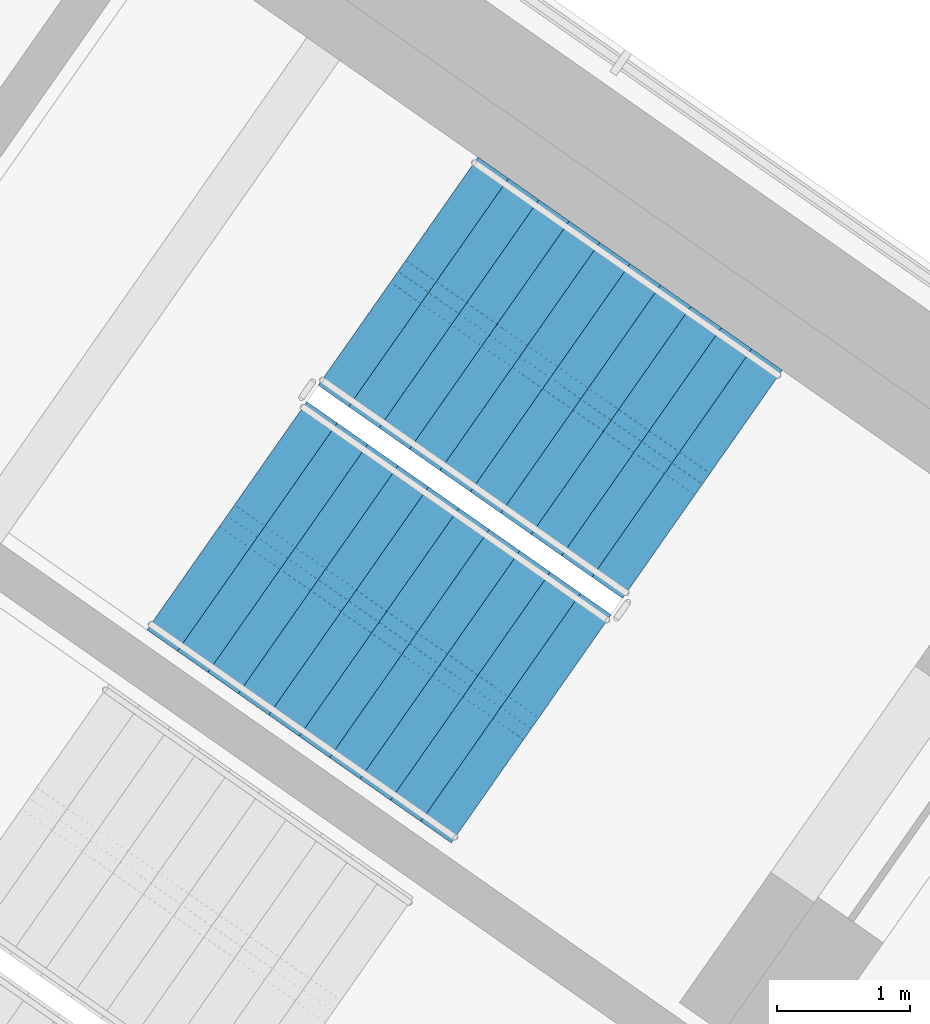
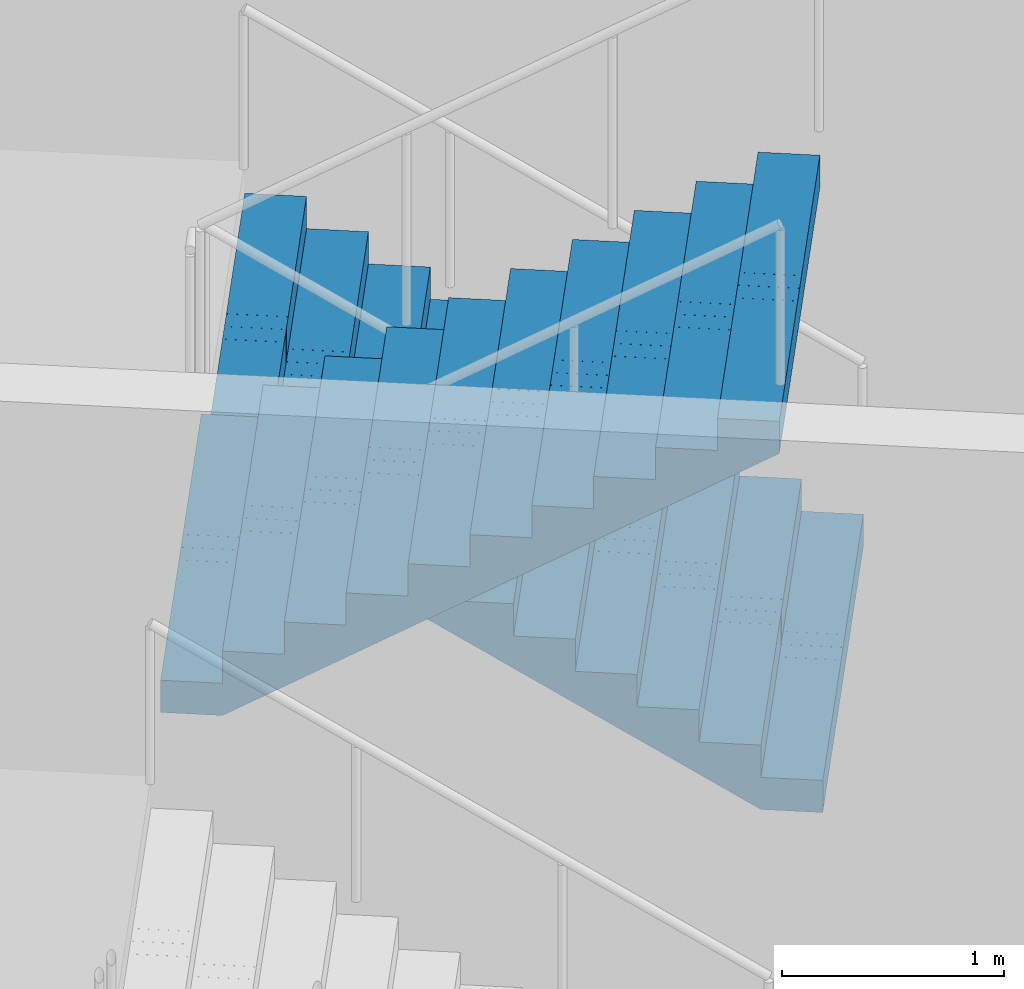
# One storey, part 15 of 20: 2 stair flights, 1 element without a shape of its own.
"""IFC4 building model written with IfcOpenShell, lengths in metres."""

from ifc_helpers import new_model, si_unit, direction, frame, origin, place, context, subcontext, project, spatial, polyline, outline, extrude, material, type_object, element, aggregate, save


model = new_model("IFC4")

# Units and contexts
model_context = context("Model", 3, precision=1e-05, world=origin(), true_north=direction((0.0, 1.0)))
body_context = subcontext(model_context, "Body", "Model", "MODEL_VIEW")
ifc_project = project(units=[si_unit("LENGTHUNIT", "METRE"), si_unit("AREAUNIT", "SQUARE_METRE"), si_unit("VOLUMEUNIT", "CUBIC_METRE"), si_unit("PLANEANGLEUNIT", "RADIAN"), si_unit("MASSUNIT", "GRAM", prefix="KILO")], contexts=[model_context])

# Site, building, storey
site_placement = place(None, origin())
site = spatial("IfcSite", under=ifc_project, at=site_placement, CompositionType="ELEMENT")
building_placement = place(site_placement, origin())
building = spatial("IfcBuilding", under=site, at=building_placement, Name="Tel Ilan Convention Tower", CompositionType="ELEMENT")
storey_placement = place(building_placement, frame((0.0, 0.0, 229.300048828125)))
storey = spatial("IfcBuildingStorey", under=building, at=storey_placement, Name="L53", CompositionType="ELEMENT", Elevation=229.300048828125)

# Stair, stair flights
ifc_material_1 = material(Name="Concrete C40/50", Category="concrete")
stair_type = type_object("IfcStairType", Name="Pressurised Exit Stair 22 risers 177 mm", PredefinedType="HALF_TURN_STAIR", material=ifc_material_1)
stair_placement = place(storey_placement, origin())
stair = element("IfcStair", 1, at=stair_placement, inside=storey, type_object=stair_type, Name="L53 Pressurised Stair S3", PredefinedType="HALF_TURN_STAIR")
ifc_material_2 = material(Name="Precast Concrete C40/50", Category="concrete")
stair_flight_type = type_object("IfcStairFlightType", Name="Concrete Stair Flight 2100 mm 22 risers 177 mm", PredefinedType="STRAIGHT", material=ifc_material_2)
stair_flight_1_placement = place(storey_placement, frame((24.25244140625, -7.032470703125, 0.0), z_axis=(0.0, 0.0, 1.0), x_axis=(-0.819152044289, 0.573576436351, 0.0)))
stair_flight_1 = element("IfcStairFlight", 2, at=stair_flight_1_placement, type_object=stair_flight_type, Name="S3 flight 1", NumberOfRisers=11, NumberOfTreads=10, PredefinedType="STRAIGHT", RiserHeight=0.177272727, TreadLength=0.28, context=body_context, shape_type="SweptSolid", body=[
    extrude(outline(polyline([(0.0, 0.0), (0.0, 0.17724609375), (0.280029296875, 0.17724609375), (0.280029296875, 0.3544921875), (0.56005859375, 0.3544921875), (0.56005859375, 0.53173828125), (0.840087890625, 0.53173828125), (0.840087890625, 0.708984375), (1.1201171875, 0.708984375), (1.1201171875, 0.886474609375), (1.39990234375, 0.886474609375), (1.39990234375, 1.063720703125), (1.679931640625, 1.063720703125), (1.679931640625, 1.240966796875), (1.9599609375, 1.240966796875), (1.9599609375, 1.418212890625), (2.239990234375, 1.418212890625), (2.239990234375, 1.595458984375), (2.52001953125, 1.595458984375), (2.52001953125, 1.772705078125), (2.800048828125, 1.772705078125), (2.800048828125, 1.949951171875), (2.800048828125, 1.59521484375), (0.2802734375, 0.0), (0.0, 0.0)])), frame((0.0, -0.100341796875, 0.0), z_axis=(0.0, -1.0, 0.0), x_axis=(1.0, 0.0, 0.0)), (0.0, 0.0, 1.0), 0.94970703125),
    extrude(outline(polyline([(0.0, 0.0), (0.0, 0.17724609375), (0.280029296875, 0.17724609375), (0.280029296875, 0.3544921875), (0.56005859375, 0.3544921875), (0.56005859375, 0.53173828125), (0.840087890625, 0.53173828125), (0.840087890625, 0.708984375), (1.1201171875, 0.708984375), (1.1201171875, 0.886474609375), (1.39990234375, 0.886474609375), (1.39990234375, 1.063720703125), (1.679931640625, 1.063720703125), (1.679931640625, 1.240966796875), (1.9599609375, 1.240966796875), (1.9599609375, 1.418212890625), (2.239990234375, 1.418212890625), (2.239990234375, 1.595458984375), (2.52001953125, 1.595458984375), (2.52001953125, 1.772705078125), (2.800048828125, 1.772705078125), (2.800048828125, 1.949951171875), (2.800048828125, 1.59521484375), (0.2802734375, 0.0), (0.0, 0.0)])), frame((0.0, -0.000244140625, 0.0), z_axis=(0.0, -1.0, 0.0), x_axis=(1.0, 0.0, 0.0)), (0.0, 0.0, 1.0), 0.099609375),
    extrude(outline(polyline([(0.0, 0.0), (0.0, 0.17724609375), (0.280029296875, 0.17724609375), (0.280029296875, 0.3544921875), (0.56005859375, 0.3544921875), (0.56005859375, 0.53173828125), (0.840087890625, 0.53173828125), (0.840087890625, 0.708984375), (1.1201171875, 0.708984375), (1.1201171875, 0.886474609375), (1.39990234375, 0.886474609375), (1.39990234375, 1.063720703125), (1.679931640625, 1.063720703125), (1.679931640625, 1.240966796875), (1.9599609375, 1.240966796875), (1.9599609375, 1.418212890625), (2.239990234375, 1.418212890625), (2.239990234375, 1.595458984375), (2.52001953125, 1.595458984375), (2.52001953125, 1.772705078125), (2.800048828125, 1.772705078125), (2.800048828125, 1.949951171875), (2.800048828125, 1.59521484375), (0.2802734375, 0.0), (0.0, 0.0)])), frame((0.0, 0.099853515625, 0.0), z_axis=(0.0, -1.0, 0.0), x_axis=(1.0, 0.0, 0.0)), (0.0, 0.0, 1.0), 0.099609375),
    extrude(outline(polyline([(0.0, 0.0), (0.0, 0.17724609375), (0.280029296875, 0.17724609375), (0.280029296875, 0.3544921875), (0.56005859375, 0.3544921875), (0.56005859375, 0.53173828125), (0.840087890625, 0.53173828125), (0.840087890625, 0.708984375), (1.1201171875, 0.708984375), (1.1201171875, 0.886474609375), (1.39990234375, 0.886474609375), (1.39990234375, 1.063720703125), (1.679931640625, 1.063720703125), (1.679931640625, 1.240966796875), (1.9599609375, 1.240966796875), (1.9599609375, 1.418212890625), (2.239990234375, 1.418212890625), (2.239990234375, 1.595458984375), (2.52001953125, 1.595458984375), (2.52001953125, 1.772705078125), (2.800048828125, 1.772705078125), (2.800048828125, 1.949951171875), (2.800048828125, 1.59521484375), (0.2802734375, 0.0), (0.0, 0.0)])), frame((0.0, 1.050048828125, 0.0), z_axis=(0.0, -1.0, 0.0), x_axis=(1.0, 0.0, 0.0)), (0.0, 0.0, 1.0), 0.94970703125),
])
stair_flight_2_placement = place(storey_placement, frame((20.668212890625, -7.26953125, 1.949951171875), z_axis=(0.0, 0.0, 1.0), x_axis=(0.819152044289, -0.573576436351, 0.0)))
stair_flight_2 = element("IfcStairFlight", 3, at=stair_flight_2_placement, type_object=stair_flight_type, Name="S3 flight 2", NumberOfRisers=11, NumberOfTreads=10, PredefinedType="STRAIGHT", RiserHeight=0.177272727, TreadLength=0.28, context=body_context, shape_type="SweptSolid", body=[
    extrude(outline(polyline([(0.0, 0.0), (0.0, 0.17724609375), (0.280029296875, 0.17724609375), (0.280029296875, 0.3544921875), (0.56005859375, 0.3544921875), (0.56005859375, 0.53173828125), (0.840087890625, 0.53173828125), (0.840087890625, 0.708984375), (1.1201171875, 0.708984375), (1.1201171875, 0.886474609375), (1.39990234375, 0.886474609375), (1.39990234375, 1.063720703125), (1.679931640625, 1.063720703125), (1.679931640625, 1.240966796875), (1.9599609375, 1.240966796875), (1.9599609375, 1.418212890625), (2.239990234375, 1.418212890625), (2.239990234375, 1.595458984375), (2.52001953125, 1.595458984375), (2.52001953125, 1.772705078125), (2.800048828125, 1.772705078125), (2.800048828125, 1.949951171875), (2.800048828125, 1.59521484375), (0.2802734375, 0.0), (0.0, 0.0)])), frame((0.0, -0.100341796875, 0.0), z_axis=(0.0, -1.0, 0.0), x_axis=(1.0, 0.0, 0.0)), (0.0, 0.0, 1.0), 0.94970703125),
    extrude(outline(polyline([(0.0, 0.0), (0.0, 0.17724609375), (0.280029296875, 0.17724609375), (0.280029296875, 0.3544921875), (0.56005859375, 0.3544921875), (0.56005859375, 0.53173828125), (0.840087890625, 0.53173828125), (0.840087890625, 0.708984375), (1.1201171875, 0.708984375), (1.1201171875, 0.886474609375), (1.39990234375, 0.886474609375), (1.39990234375, 1.063720703125), (1.679931640625, 1.063720703125), (1.679931640625, 1.240966796875), (1.9599609375, 1.240966796875), (1.9599609375, 1.418212890625), (2.239990234375, 1.418212890625), (2.239990234375, 1.595458984375), (2.52001953125, 1.595458984375), (2.52001953125, 1.772705078125), (2.800048828125, 1.772705078125), (2.800048828125, 1.949951171875), (2.800048828125, 1.59521484375), (0.2802734375, 0.0), (0.0, 0.0)])), frame((0.0, -0.000244140625, 0.0), z_axis=(0.0, -1.0, 0.0), x_axis=(1.0, 0.0, 0.0)), (0.0, 0.0, 1.0), 0.099609375),
    extrude(outline(polyline([(0.0, 0.0), (0.0, 0.17724609375), (0.280029296875, 0.17724609375), (0.280029296875, 0.3544921875), (0.56005859375, 0.3544921875), (0.56005859375, 0.53173828125), (0.840087890625, 0.53173828125), (0.840087890625, 0.708984375), (1.1201171875, 0.708984375), (1.1201171875, 0.886474609375), (1.39990234375, 0.886474609375), (1.39990234375, 1.063720703125), (1.679931640625, 1.063720703125), (1.679931640625, 1.240966796875), (1.9599609375, 1.240966796875), (1.9599609375, 1.418212890625), (2.239990234375, 1.418212890625), (2.239990234375, 1.595458984375), (2.52001953125, 1.595458984375), (2.52001953125, 1.772705078125), (2.800048828125, 1.772705078125), (2.800048828125, 1.949951171875), (2.800048828125, 1.59521484375), (0.2802734375, 0.0), (0.0, 0.0)])), frame((0.0, 0.099853515625, 0.0), z_axis=(0.0, -1.0, 0.0), x_axis=(1.0, 0.0, 0.0)), (0.0, 0.0, 1.0), 0.099609375),
    extrude(outline(polyline([(0.0, 0.0), (0.0, 0.17724609375), (0.280029296875, 0.17724609375), (0.280029296875, 0.3544921875), (0.56005859375, 0.3544921875), (0.56005859375, 0.53173828125), (0.840087890625, 0.53173828125), (0.840087890625, 0.708984375), (1.1201171875, 0.708984375), (1.1201171875, 0.886474609375), (1.39990234375, 0.886474609375), (1.39990234375, 1.063720703125), (1.679931640625, 1.063720703125), (1.679931640625, 1.240966796875), (1.9599609375, 1.240966796875), (1.9599609375, 1.418212890625), (2.239990234375, 1.418212890625), (2.239990234375, 1.595458984375), (2.52001953125, 1.595458984375), (2.52001953125, 1.772705078125), (2.800048828125, 1.772705078125), (2.800048828125, 1.949951171875), (2.800048828125, 1.59521484375), (0.2802734375, 0.0), (0.0, 0.0)])), frame((0.0, 1.050048828125, 0.0), z_axis=(0.0, -1.0, 0.0), x_axis=(1.0, 0.0, 0.0)), (0.0, 0.0, 1.0), 0.94970703125),
])
aggregate(stair, [stair_flight_1, stair_flight_2])

save(model, "model.ifc")
